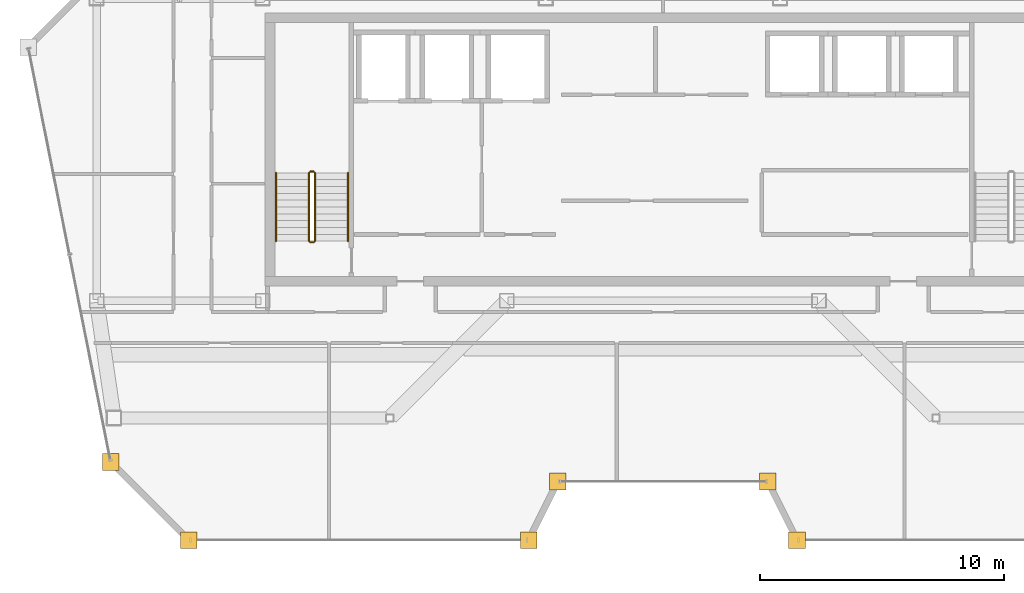
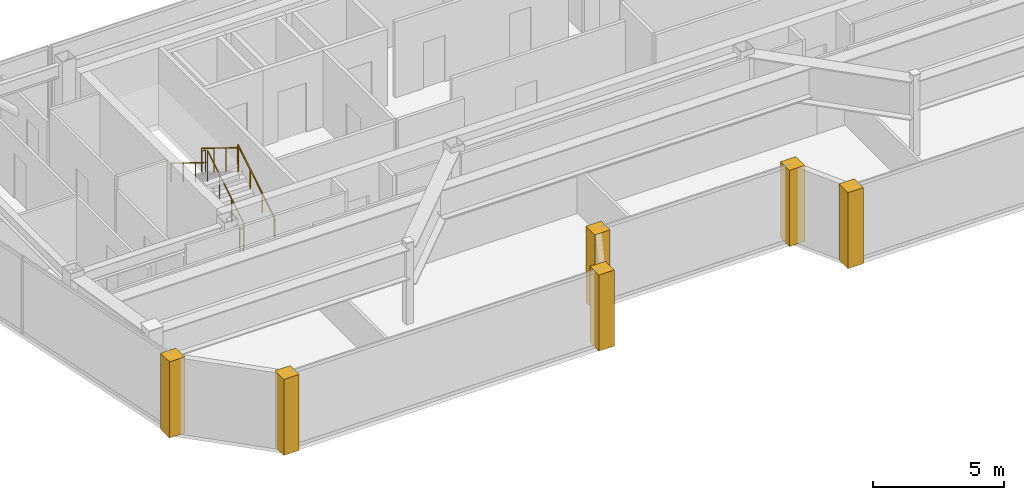
# One storey, part 22 of 24: 6 coverings, 6 railings.
"""IFC4 building model written with IfcOpenShell, lengths in metres."""

from ifc_helpers import new_model, si_unit, direction, frame, origin, origin_2d, place, context, subcontext, project, spatial, polyline, circle, outline, extrude, material, layer, layer_set, type_object, element, save


model = new_model("IFC4")

# Units and contexts
model_context = context("Model", 3, precision=1e-05, world=origin(), true_north=direction((0.0, 1.0)))
body_context = subcontext(model_context, "Body", "Model", "MODEL_VIEW")
ifc_project = project(units=[si_unit("LENGTHUNIT", "METRE"), si_unit("AREAUNIT", "SQUARE_METRE"), si_unit("VOLUMEUNIT", "CUBIC_METRE"), si_unit("PLANEANGLEUNIT", "RADIAN"), si_unit("MASSUNIT", "GRAM", prefix="KILO")], contexts=[model_context])

# Site, building, storey
site_placement = place(None, origin())
site = spatial("IfcSite", under=ifc_project, at=site_placement, CompositionType="ELEMENT")
building_placement = place(site_placement, origin())
building = spatial("IfcBuilding", under=site, at=building_placement, Name="Saevonmaru Cultural Tower", CompositionType="ELEMENT")
storey_placement = place(building_placement, frame((0.0, 0.0, 306.60009765625)))
storey = spatial("IfcBuildingStorey", under=building, at=storey_placement, Name="L73", CompositionType="ELEMENT", Elevation=306.60009765625)

# Coverings
ifc_material_1 = material(Name="Satin Bronze Anodised Aluminium", Category="aluminium")
ifc_layer = layer(ifc_material_1, 0.679931640625, Name="Satin Bronze Anodised Aluminium")
ifc_layer_set = layer_set([ifc_layer], Name="Satin Bronze Anodised Aluminium")
covering_type = type_object("IfcCoveringType", Name="CV-CORNER-CLAD", PredefinedType="CLADDING", material=ifc_layer_set)
covering_1_placement = place(storey_placement, origin())
element("IfcCovering", 1, at=covering_1_placement, inside=storey, type_object=covering_type, Name="L73 Tower Bronze Corner Cladding Pier 1", PredefinedType="CLADDING", context=body_context, shape_type="SweptSolid", body=[
    extrude(outline(polyline([(7.0400390625, 35.4599609375), (7.719970703125, 35.4599609375), (7.719970703125, 36.139892578125), (7.0400390625, 36.139892578125), (7.0400390625, 35.4599609375)])), origin(), (0.0, 0.0, 1.0), 3.5498046875),
])
covering_2_placement = place(storey_placement, origin())
element("IfcCovering", 2, at=covering_2_placement, inside=storey, type_object=covering_type, Name="L73 Tower Bronze Corner Cladding Pier 2", PredefinedType="CLADDING", context=body_context, shape_type="SweptSolid", body=[
    extrude(outline(polyline([(10.239990234375, 32.260009765625), (10.919921875, 32.260009765625), (10.919921875, 32.93994140625), (10.239990234375, 32.93994140625), (10.239990234375, 32.260009765625)])), origin(), (0.0, 0.0, 1.0), 3.5498046875),
])
covering_3_placement = place(storey_placement, origin())
element("IfcCovering", 3, at=covering_3_placement, inside=storey, type_object=covering_type, Name="L73 Tower Bronze Corner Cladding Pier 3", PredefinedType="CLADDING", context=body_context, shape_type="SweptSolid", body=[
    extrude(outline(polyline([(24.159912109375, 32.260009765625), (24.840087890625, 32.260009765625), (24.840087890625, 32.93994140625), (24.159912109375, 32.93994140625), (24.159912109375, 32.260009765625)])), origin(), (0.0, 0.0, 1.0), 3.5498046875),
])
covering_4_placement = place(storey_placement, origin())
element("IfcCovering", 4, at=covering_4_placement, inside=storey, type_object=covering_type, Name="L73 Tower Bronze Corner Cladding Pier 4", PredefinedType="CLADDING", context=body_context, shape_type="SweptSolid", body=[
    extrude(outline(polyline([(25.360107421875, 34.659912109375), (26.0400390625, 34.659912109375), (26.0400390625, 35.340087890625), (25.360107421875, 35.340087890625), (25.360107421875, 34.659912109375)])), origin(), (0.0, 0.0, 1.0), 3.5498046875),
])
covering_5_placement = place(storey_placement, origin())
element("IfcCovering", 5, at=covering_5_placement, inside=storey, type_object=covering_type, Name="L73 Tower Bronze Corner Cladding Pier 5", PredefinedType="CLADDING", context=body_context, shape_type="SweptSolid", body=[
    extrude(outline(polyline([(33.9599609375, 34.659912109375), (34.639892578125, 34.659912109375), (34.639892578125, 35.340087890625), (33.9599609375, 35.340087890625), (33.9599609375, 34.659912109375)])), origin(), (0.0, 0.0, 1.0), 3.5498046875),
])
covering_6_placement = place(storey_placement, origin())
element("IfcCovering", 6, at=covering_6_placement, inside=storey, type_object=covering_type, Name="L73 Tower Bronze Corner Cladding Pier 6", PredefinedType="CLADDING", context=body_context, shape_type="SweptSolid", body=[
    extrude(outline(polyline([(35.159912109375, 32.260009765625), (35.840087890625, 32.260009765625), (35.840087890625, 32.93994140625), (35.159912109375, 32.93994140625), (35.159912109375, 32.260009765625)])), origin(), (0.0, 0.0, 1.0), 3.5498046875),
])

# Railings
ifc_material_2 = material(Name="Architectural Painted Steel", Category="steel")
railing_type_1 = type_object("IfcRailingType", Name="RL-STAIR-GUARD", PredefinedType="GUARDRAIL", material=ifc_material_2)
railing_1_placement = place(storey_placement, frame((15.75, 44.85009765625, 0.172607421875)))
element("IfcRailing", 7, at=railing_1_placement, inside=storey, type_object=railing_type_1, Name="L73 ST-1 stair guard 1", PredefinedType="GUARDRAIL", context=body_context, shape_type="SweptSolid", body=[
    extrude(circle(Radius=0.02392578125, at=origin_2d()), frame((0.0, 0.0, 1.09619140625), z_axis=(0.0, 0.851069175582, 0.525053576669), x_axis=(-1.0, 0.0, 0.0)), (0.0, 0.0, 1.0), 3.289794921875),
    extrude(circle(Radius=0.02099609375, at=origin_2d()), origin(), (0.0, 0.0, 1.0), 1.072021484375),
    extrude(circle(Radius=0.02099609375, at=origin_2d()), frame((0.0, 0.933349609375, 0.57568359375)), (0.0, 0.0, 1.0), 1.072021484375),
    extrude(circle(Radius=0.02099609375, at=origin_2d()), frame((0.0, 1.866455078125, 1.151611328125)), (0.0, 0.0, 1.0), 1.072021484375),
    extrude(circle(Radius=0.02099609375, at=origin_2d()), frame((0.0, 2.7998046875, 1.727294921875)), (0.0, 0.0, 1.0), 1.072021484375),
])
railing_2_placement = place(storey_placement, frame((15.699951171875, 47.699951171875, 1.89990234375)))
element("IfcRailing", 8, at=railing_2_placement, inside=storey, type_object=railing_type_1, Name="L73 ST-1 stair guard 2", PredefinedType="GUARDRAIL", context=body_context, shape_type="SweptSolid", body=[
    extrude(circle(Radius=0.02392578125, at=origin_2d()), frame((0.0, 0.0, 1.09619140625), z_axis=(-1.0, 0.0, 0.0), x_axis=(0.0, -1.0, 0.0)), (0.0, 0.0, 1.0), 0.14990234375),
    extrude(circle(Radius=0.02099609375, at=origin_2d()), origin(), (0.0, 0.0, 1.0), 1.072021484375),
    extrude(circle(Radius=0.02099609375, at=origin_2d()), frame((-0.14990234375, 0.0, 0.0)), (0.0, 0.0, 1.0), 1.072021484375),
])
railing_3_placement = place(storey_placement, frame((15.5, 47.64990234375, 2.072509765625)))
element("IfcRailing", 9, at=railing_3_placement, inside=storey, type_object=railing_type_1, Name="L73 ST-1 stair guard 3", PredefinedType="GUARDRAIL", context=body_context, shape_type="SweptSolid", body=[
    extrude(circle(Radius=0.02392578125, at=origin_2d()), frame((0.0, 0.0, 1.09619140625), z_axis=(0.0, -0.851069175582, 0.525053576669), x_axis=(1.0, 0.0, 0.0)), (0.0, 0.0, 1.0), 3.289794921875),
    extrude(circle(Radius=0.02099609375, at=origin_2d()), origin(), (0.0, 0.0, 1.0), 1.072021484375),
    extrude(circle(Radius=0.02099609375, at=origin_2d()), frame((0.0, -0.933349609375, 0.57568359375)), (0.0, 0.0, 1.0), 1.072021484375),
    extrude(circle(Radius=0.02099609375, at=origin_2d()), frame((0.0, -1.866455078125, 1.151611328125)), (0.0, 0.0, 1.0), 1.072021484375),
    extrude(circle(Radius=0.02099609375, at=origin_2d()), frame((0.0, -2.7998046875, 1.727294921875)), (0.0, 0.0, 1.0), 1.072021484375),
])
railing_4_placement = place(storey_placement, frame((15.699951171875, 44.800048828125, 0.0)))
element("IfcRailing", 10, at=railing_4_placement, inside=storey, type_object=railing_type_1, Name="L73 ST-1 stair guard 4", PredefinedType="GUARDRAIL", context=body_context, shape_type="SweptSolid", body=[
    extrude(circle(Radius=0.02392578125, at=origin_2d()), frame((0.0, 0.0, 1.09619140625), z_axis=(-1.0, 0.0, 0.0), x_axis=(0.0, -1.0, 0.0)), (0.0, 0.0, 1.0), 0.14990234375),
    extrude(circle(Radius=0.02099609375, at=origin_2d()), origin(), (0.0, 0.0, 1.0), 1.072021484375),
    extrude(circle(Radius=0.02099609375, at=origin_2d()), frame((-0.14990234375, 0.0, 0.0)), (0.0, 0.0, 1.0), 1.072021484375),
])
railing_type_2 = type_object("IfcRailingType", Name="RL-STAIR-HANDRAIL", PredefinedType="HANDRAIL", material=ifc_material_1)
railing_5_placement = place(storey_placement, frame((17.10009765625, 44.85009765625, 0.172607421875)))
element("IfcRailing", 11, at=railing_5_placement, inside=storey, type_object=railing_type_2, Name="L73 ST-1 stair handrail 1", PredefinedType="HANDRAIL", context=body_context, shape_type="SweptSolid", body=[
    extrude(circle(Radius=0.02392578125, at=origin_2d()), frame((0.0, 0.0, 0.8759765625), z_axis=(0.0, 0.851069175582, 0.525053576669), x_axis=(-1.0, 0.0, 0.0)), (0.0, 0.0, 1.0), 3.289794921875),
    extrude(circle(Radius=0.02099609375, at=origin_2d()), origin(), (0.0, 0.0, 1.0), 0.851806640625),
    extrude(circle(Radius=0.02099609375, at=origin_2d()), frame((0.0, 0.933349609375, 0.57568359375)), (0.0, 0.0, 1.0), 0.851806640625),
    extrude(circle(Radius=0.02099609375, at=origin_2d()), frame((0.0, 1.866455078125, 1.151611328125)), (0.0, 0.0, 1.0), 0.851806640625),
    extrude(circle(Radius=0.02099609375, at=origin_2d()), frame((0.0, 2.7998046875, 1.727294921875)), (0.0, 0.0, 1.0), 0.851806640625),
])
railing_6_placement = place(storey_placement, frame((14.14990234375, 47.64990234375, 2.072509765625)))
element("IfcRailing", 12, at=railing_6_placement, inside=storey, type_object=railing_type_2, Name="L73 ST-1 stair handrail 2", PredefinedType="HANDRAIL", context=body_context, shape_type="SweptSolid", body=[
    extrude(circle(Radius=0.02392578125, at=origin_2d()), frame((0.0, 0.0, 0.8759765625), z_axis=(0.0, -0.851069175582, 0.525053576669), x_axis=(1.0, 0.0, 0.0)), (0.0, 0.0, 1.0), 3.289794921875),
    extrude(circle(Radius=0.02099609375, at=origin_2d()), origin(), (0.0, 0.0, 1.0), 0.851806640625),
    extrude(circle(Radius=0.02099609375, at=origin_2d()), frame((0.0, -0.933349609375, 0.57568359375)), (0.0, 0.0, 1.0), 0.851806640625),
    extrude(circle(Radius=0.02099609375, at=origin_2d()), frame((0.0, -1.866455078125, 1.151611328125)), (0.0, 0.0, 1.0), 0.851806640625),
    extrude(circle(Radius=0.02099609375, at=origin_2d()), frame((0.0, -2.7998046875, 1.727294921875)), (0.0, 0.0, 1.0), 0.851806640625),
])

save(model, "model.ifc")
